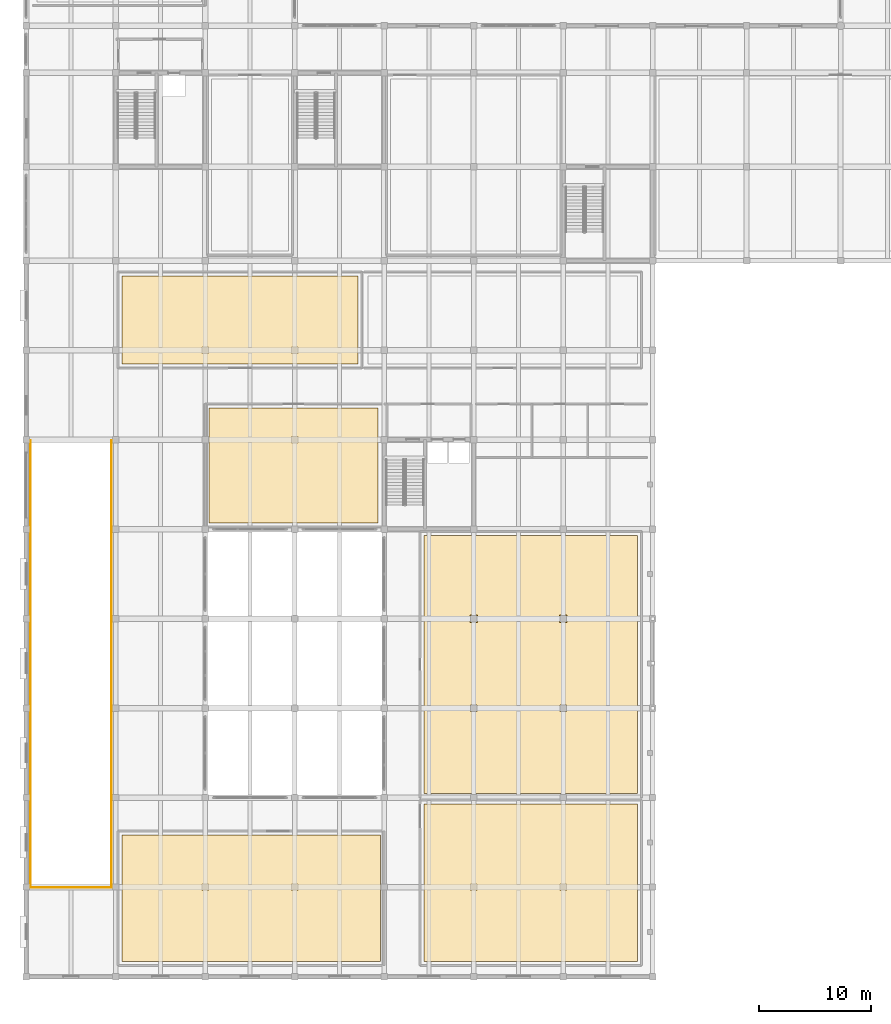
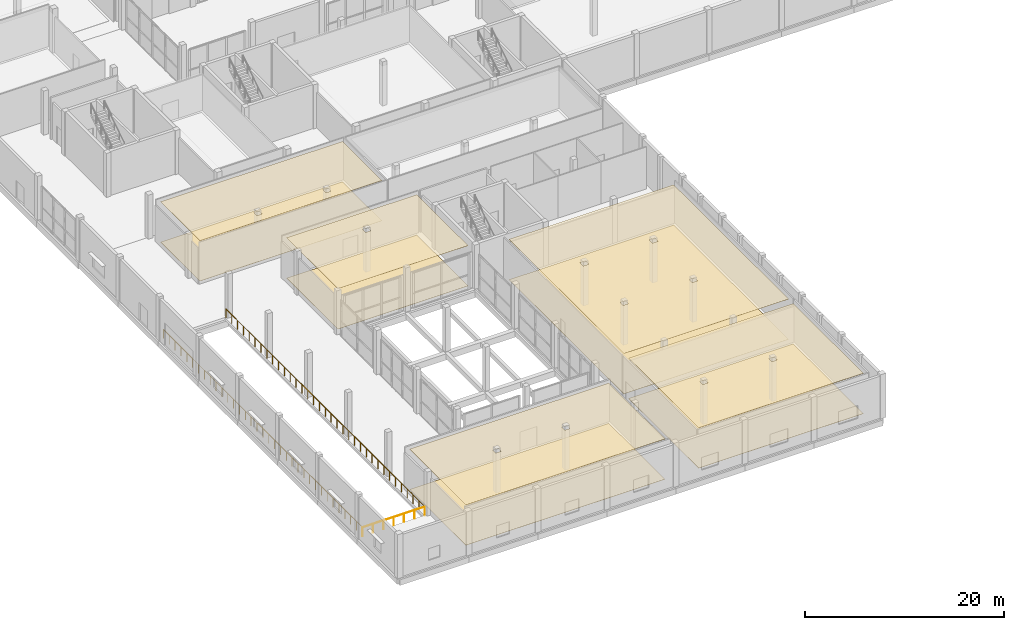
# One storey, part 34 of 41: 10 coverings, 3 railings.
"""IFC4 building model written with IfcOpenShell, lengths in metres."""

from ifc_helpers import new_model, si_unit, direction, frame, origin, origin_2d, place, context, subcontext, project, spatial, polyline, circle, outline, extrude, material, layer, layer_set, type_object, element, save


model = new_model("IFC4")

# Units and contexts
model_context = context("Model", 3, precision=1e-05, world=origin(), true_north=direction((0.0, 1.0)))
body_context = subcontext(model_context, "Body", "Model", "MODEL_VIEW")
ifc_project = project(units=[si_unit("LENGTHUNIT", "METRE"), si_unit("AREAUNIT", "SQUARE_METRE"), si_unit("VOLUMEUNIT", "CUBIC_METRE"), si_unit("PLANEANGLEUNIT", "RADIAN"), si_unit("MASSUNIT", "GRAM", prefix="KILO")], contexts=[model_context])

# Site, building, storey
site_placement = place(None, origin())
site = spatial("IfcSite", under=ifc_project, at=site_placement, CompositionType="ELEMENT")
building_placement = place(site_placement, origin())
building = spatial("IfcBuilding", under=site, at=building_placement, Name="Vharandega Faculty of Natural Sciences", CompositionType="ELEMENT")
storey_placement = place(building_placement, origin())
storey = spatial("IfcBuildingStorey", under=building, at=storey_placement, Name="L00", CompositionType="ELEMENT", Elevation=0.0)

# Railings
ifc_material_1 = material(Name="Painted steel and laminated glass balustrade", Category="steel")
railing_type = type_object("IfcRailingType", Name="Courtyard Architectural Balustrade 1100", PredefinedType="BALUSTRADE", material=ifc_material_1)
railing_1_placement = place(storey_placement, frame((0.3798828125, 47.925048828125, 0.0)))
element("IfcRailing", 1, at=railing_1_placement, inside=storey, type_object=railing_type, Name="Ramp Opening Balustrade L00 #1", PredefinedType="BALUSTRADE", context=body_context, shape_type="SweptSolid", body=[
    extrude(circle(Radius=0.02392578125, at=origin_2d()), frame((0.0, 0.0, 1.076171875), z_axis=(0.0, -1.0, 0.0), x_axis=(1.0, 0.0, 0.0)), (0.0, 0.0, 1.0), 39.949951171875),
    extrude(circle(Radius=0.02099609375, at=origin_2d()), origin(), (0.0, 0.0, 1.0), 1.052001953125),
    extrude(circle(Radius=0.02099609375, at=origin_2d()), frame((0.0, -1.175048828125, 0.0)), (0.0, 0.0, 1.0), 1.052001953125),
    extrude(circle(Radius=0.02099609375, at=origin_2d()), frame((0.0, -2.35009765625, 0.0)), (0.0, 0.0, 1.0), 1.052001953125),
    extrude(circle(Radius=0.02099609375, at=origin_2d()), frame((0.0, -3.52490234375, 0.0)), (0.0, 0.0, 1.0), 1.052001953125),
    extrude(circle(Radius=0.02099609375, at=origin_2d()), frame((0.0, -4.699951171875, 0.0)), (0.0, 0.0, 1.0), 1.052001953125),
    extrude(circle(Radius=0.02099609375, at=origin_2d()), frame((0.0, -5.875, 0.0)), (0.0, 0.0, 1.0), 1.052001953125),
    extrude(circle(Radius=0.02099609375, at=origin_2d()), frame((0.0, -7.050048828125, 0.0)), (0.0, 0.0, 1.0), 1.052001953125),
    extrude(circle(Radius=0.02099609375, at=origin_2d()), frame((0.0, -8.22509765625, 0.0)), (0.0, 0.0, 1.0), 1.052001953125),
    extrude(circle(Radius=0.02099609375, at=origin_2d()), frame((0.0, -9.39990234375, 0.0)), (0.0, 0.0, 1.0), 1.052001953125),
    extrude(circle(Radius=0.02099609375, at=origin_2d()), frame((0.0, -10.574951171875, 0.0)), (0.0, 0.0, 1.0), 1.052001953125),
    extrude(circle(Radius=0.02099609375, at=origin_2d()), frame((0.0, -11.75, 0.0)), (0.0, 0.0, 1.0), 1.052001953125),
    extrude(circle(Radius=0.02099609375, at=origin_2d()), frame((0.0, -12.925048828125, 0.0)), (0.0, 0.0, 1.0), 1.052001953125),
    extrude(circle(Radius=0.02099609375, at=origin_2d()), frame((0.0, -14.10009765625, 0.0)), (0.0, 0.0, 1.0), 1.052001953125),
    extrude(circle(Radius=0.02099609375, at=origin_2d()), frame((0.0, -15.27490234375, 0.0)), (0.0, 0.0, 1.0), 1.052001953125),
    extrude(circle(Radius=0.02099609375, at=origin_2d()), frame((0.0, -16.449951171875, 0.0)), (0.0, 0.0, 1.0), 1.052001953125),
    extrude(circle(Radius=0.02099609375, at=origin_2d()), frame((0.0, -17.625, 0.0)), (0.0, 0.0, 1.0), 1.052001953125),
    extrude(circle(Radius=0.02099609375, at=origin_2d()), frame((0.0, -18.800048828125, 0.0)), (0.0, 0.0, 1.0), 1.052001953125),
    extrude(circle(Radius=0.02099609375, at=origin_2d()), frame((0.0, -19.97509765625, 0.0)), (0.0, 0.0, 1.0), 1.052001953125),
    extrude(circle(Radius=0.02099609375, at=origin_2d()), frame((0.0, -21.14990234375, 0.0)), (0.0, 0.0, 1.0), 1.052001953125),
    extrude(circle(Radius=0.02099609375, at=origin_2d()), frame((0.0, -22.324951171875, 0.0)), (0.0, 0.0, 1.0), 1.052001953125),
    extrude(circle(Radius=0.02099609375, at=origin_2d()), frame((0.0, -23.5, 0.0)), (0.0, 0.0, 1.0), 1.052001953125),
    extrude(circle(Radius=0.02099609375, at=origin_2d()), frame((0.0, -24.675048828125, 0.0)), (0.0, 0.0, 1.0), 1.052001953125),
    extrude(circle(Radius=0.02099609375, at=origin_2d()), frame((0.0, -25.849853515625, 0.0)), (0.0, 0.0, 1.0), 1.052001953125),
    extrude(circle(Radius=0.02099609375, at=origin_2d()), frame((0.0, -27.02490234375, 0.0)), (0.0, 0.0, 1.0), 1.052001953125),
    extrude(circle(Radius=0.02099609375, at=origin_2d()), frame((0.0, -28.199951171875, 0.0)), (0.0, 0.0, 1.0), 1.052001953125),
    extrude(circle(Radius=0.02099609375, at=origin_2d()), frame((0.0, -29.375, 0.0)), (0.0, 0.0, 1.0), 1.052001953125),
    extrude(circle(Radius=0.02099609375, at=origin_2d()), frame((0.0, -30.550048828125, 0.0)), (0.0, 0.0, 1.0), 1.052001953125),
    extrude(circle(Radius=0.02099609375, at=origin_2d()), frame((0.0, -31.724853515625, 0.0)), (0.0, 0.0, 1.0), 1.052001953125),
    extrude(circle(Radius=0.02099609375, at=origin_2d()), frame((0.0, -32.89990234375, 0.0)), (0.0, 0.0, 1.0), 1.052001953125),
    extrude(circle(Radius=0.02099609375, at=origin_2d()), frame((0.0, -34.074951171875, 0.0)), (0.0, 0.0, 1.0), 1.052001953125),
    extrude(circle(Radius=0.02099609375, at=origin_2d()), frame((0.0, -35.25, 0.0)), (0.0, 0.0, 1.0), 1.052001953125),
    extrude(circle(Radius=0.02099609375, at=origin_2d()), frame((0.0, -36.425048828125, 0.0)), (0.0, 0.0, 1.0), 1.052001953125),
    extrude(circle(Radius=0.02099609375, at=origin_2d()), frame((0.0, -37.599853515625, 0.0)), (0.0, 0.0, 1.0), 1.052001953125),
    extrude(circle(Radius=0.02099609375, at=origin_2d()), frame((0.0, -38.77490234375, 0.0)), (0.0, 0.0, 1.0), 1.052001953125),
    extrude(circle(Radius=0.02099609375, at=origin_2d()), frame((0.0, -39.949951171875, 0.0)), (0.0, 0.0, 1.0), 1.052001953125),
])
railing_2_placement = place(storey_placement, frame((0.405029296875, 7.949951171875, 0.0)))
element("IfcRailing", 2, at=railing_2_placement, inside=storey, type_object=railing_type, Name="Ramp Opening Balustrade L00 #2", PredefinedType="BALUSTRADE", context=body_context, shape_type="SweptSolid", body=[
    extrude(circle(Radius=0.02392578125, at=origin_2d()), frame((0.0, 0.0, 1.076171875), z_axis=(1.0, 0.0, 0.0), x_axis=(0.0, 1.0, 0.0)), (0.0, 0.0, 1.0), 7.18994140625),
    extrude(circle(Radius=0.02099609375, at=origin_2d()), origin(), (0.0, 0.0, 1.0), 1.052001953125),
    extrude(circle(Radius=0.02099609375, at=origin_2d()), frame((1.1982421875, 0.0, 0.0)), (0.0, 0.0, 1.0), 1.052001953125),
    extrude(circle(Radius=0.02099609375, at=origin_2d()), frame((2.396728515625, 0.0, 0.0)), (0.0, 0.0, 1.0), 1.052001953125),
    extrude(circle(Radius=0.02099609375, at=origin_2d()), frame((3.594970703125, 0.0, 0.0)), (0.0, 0.0, 1.0), 1.052001953125),
    extrude(circle(Radius=0.02099609375, at=origin_2d()), frame((4.793212890625, 0.0, 0.0)), (0.0, 0.0, 1.0), 1.052001953125),
    extrude(circle(Radius=0.02099609375, at=origin_2d()), frame((5.99169921875, 0.0, 0.0)), (0.0, 0.0, 1.0), 1.052001953125),
    extrude(circle(Radius=0.02099609375, at=origin_2d()), frame((7.18994140625, 0.0, 0.0)), (0.0, 0.0, 1.0), 1.052001953125),
])
railing_3_placement = place(storey_placement, frame((7.6201171875, 7.97509765625, 0.0)))
element("IfcRailing", 3, at=railing_3_placement, inside=storey, type_object=railing_type, Name="Ramp Opening Balustrade L00 #3", PredefinedType="BALUSTRADE", context=body_context, shape_type="SweptSolid", body=[
    extrude(circle(Radius=0.02392578125, at=origin_2d()), frame((0.0, 0.0, 1.076171875), z_axis=(0.0, 1.0, 0.0), x_axis=(-1.0, 0.0, 0.0)), (0.0, 0.0, 1.0), 39.949951171875),
    extrude(circle(Radius=0.02099609375, at=origin_2d()), origin(), (0.0, 0.0, 1.0), 1.052001953125),
    extrude(circle(Radius=0.02099609375, at=origin_2d()), frame((0.0, 1.175048828125, 0.0)), (0.0, 0.0, 1.0), 1.052001953125),
    extrude(circle(Radius=0.02099609375, at=origin_2d()), frame((0.0, 2.35009765625, 0.0)), (0.0, 0.0, 1.0), 1.052001953125),
    extrude(circle(Radius=0.02099609375, at=origin_2d()), frame((0.0, 3.52490234375, 0.0)), (0.0, 0.0, 1.0), 1.052001953125),
    extrude(circle(Radius=0.02099609375, at=origin_2d()), frame((0.0, 4.699951171875, 0.0)), (0.0, 0.0, 1.0), 1.052001953125),
    extrude(circle(Radius=0.02099609375, at=origin_2d()), frame((0.0, 5.875, 0.0)), (0.0, 0.0, 1.0), 1.052001953125),
    extrude(circle(Radius=0.02099609375, at=origin_2d()), frame((0.0, 7.050048828125, 0.0)), (0.0, 0.0, 1.0), 1.052001953125),
    extrude(circle(Radius=0.02099609375, at=origin_2d()), frame((0.0, 8.22509765625, 0.0)), (0.0, 0.0, 1.0), 1.052001953125),
    extrude(circle(Radius=0.02099609375, at=origin_2d()), frame((0.0, 9.39990234375, 0.0)), (0.0, 0.0, 1.0), 1.052001953125),
    extrude(circle(Radius=0.02099609375, at=origin_2d()), frame((0.0, 10.574951171875, 0.0)), (0.0, 0.0, 1.0), 1.052001953125),
    extrude(circle(Radius=0.02099609375, at=origin_2d()), frame((0.0, 11.75, 0.0)), (0.0, 0.0, 1.0), 1.052001953125),
    extrude(circle(Radius=0.02099609375, at=origin_2d()), frame((0.0, 12.925048828125, 0.0)), (0.0, 0.0, 1.0), 1.052001953125),
    extrude(circle(Radius=0.02099609375, at=origin_2d()), frame((0.0, 14.10009765625, 0.0)), (0.0, 0.0, 1.0), 1.052001953125),
    extrude(circle(Radius=0.02099609375, at=origin_2d()), frame((0.0, 15.27490234375, 0.0)), (0.0, 0.0, 1.0), 1.052001953125),
    extrude(circle(Radius=0.02099609375, at=origin_2d()), frame((0.0, 16.449951171875, 0.0)), (0.0, 0.0, 1.0), 1.052001953125),
    extrude(circle(Radius=0.02099609375, at=origin_2d()), frame((0.0, 17.625, 0.0)), (0.0, 0.0, 1.0), 1.052001953125),
    extrude(circle(Radius=0.02099609375, at=origin_2d()), frame((0.0, 18.800048828125, 0.0)), (0.0, 0.0, 1.0), 1.052001953125),
    extrude(circle(Radius=0.02099609375, at=origin_2d()), frame((0.0, 19.97509765625, 0.0)), (0.0, 0.0, 1.0), 1.052001953125),
    extrude(circle(Radius=0.02099609375, at=origin_2d()), frame((0.0, 21.14990234375, 0.0)), (0.0, 0.0, 1.0), 1.052001953125),
    extrude(circle(Radius=0.02099609375, at=origin_2d()), frame((0.0, 22.324951171875, 0.0)), (0.0, 0.0, 1.0), 1.052001953125),
    extrude(circle(Radius=0.02099609375, at=origin_2d()), frame((0.0, 23.5, 0.0)), (0.0, 0.0, 1.0), 1.052001953125),
    extrude(circle(Radius=0.02099609375, at=origin_2d()), frame((0.0, 24.675048828125, 0.0)), (0.0, 0.0, 1.0), 1.052001953125),
    extrude(circle(Radius=0.02099609375, at=origin_2d()), frame((0.0, 25.849853515625, 0.0)), (0.0, 0.0, 1.0), 1.052001953125),
    extrude(circle(Radius=0.02099609375, at=origin_2d()), frame((0.0, 27.02490234375, 0.0)), (0.0, 0.0, 1.0), 1.052001953125),
    extrude(circle(Radius=0.02099609375, at=origin_2d()), frame((0.0, 28.199951171875, 0.0)), (0.0, 0.0, 1.0), 1.052001953125),
    extrude(circle(Radius=0.02099609375, at=origin_2d()), frame((0.0, 29.375, 0.0)), (0.0, 0.0, 1.0), 1.052001953125),
    extrude(circle(Radius=0.02099609375, at=origin_2d()), frame((0.0, 30.550048828125, 0.0)), (0.0, 0.0, 1.0), 1.052001953125),
    extrude(circle(Radius=0.02099609375, at=origin_2d()), frame((0.0, 31.724853515625, 0.0)), (0.0, 0.0, 1.0), 1.052001953125),
    extrude(circle(Radius=0.02099609375, at=origin_2d()), frame((0.0, 32.89990234375, 0.0)), (0.0, 0.0, 1.0), 1.052001953125),
    extrude(circle(Radius=0.02099609375, at=origin_2d()), frame((0.0, 34.074951171875, 0.0)), (0.0, 0.0, 1.0), 1.052001953125),
    extrude(circle(Radius=0.02099609375, at=origin_2d()), frame((0.0, 35.25, 0.0)), (0.0, 0.0, 1.0), 1.052001953125),
    extrude(circle(Radius=0.02099609375, at=origin_2d()), frame((0.0, 36.425048828125, 0.0)), (0.0, 0.0, 1.0), 1.052001953125),
    extrude(circle(Radius=0.02099609375, at=origin_2d()), frame((0.0, 37.599853515625, 0.0)), (0.0, 0.0, 1.0), 1.052001953125),
    extrude(circle(Radius=0.02099609375, at=origin_2d()), frame((0.0, 38.77490234375, 0.0)), (0.0, 0.0, 1.0), 1.052001953125),
    extrude(circle(Radius=0.02099609375, at=origin_2d()), frame((0.0, 39.949951171875, 0.0)), (0.0, 0.0, 1.0), 1.052001953125),
])

# Coverings
ifc_material_2 = material(Name="Perforated acoustic timber ceiling panels", Category="wood")
ifc_layer_1 = layer(ifc_material_2, 0.030029296875, Name="Perforated acoustic timber ceiling panels")
ifc_layer_set_1 = layer_set([ifc_layer_1], Name="Perforated acoustic timber ceiling panels")
covering_type_1 = type_object("IfcCoveringType", Name="Perforated Acoustic Timber Ceiling 30mm", PredefinedType="CEILING", material=ifc_layer_set_1)
covering_1_placement = place(storey_placement, frame((0.0, 0.0, 4.93994140625)))
element("IfcCovering", 4, at=covering_1_placement, inside=storey, type_object=covering_type_1, Name="L00-GEO1 Acoustic Ceiling", PredefinedType="CEILING", context=body_context, shape_type="SweptSolid", body=[
    extrude(outline(polyline([(8.550048828125, 1.35009765625), (31.64990234375, 1.35009765625), (31.64990234375, 12.64990234375), (8.550048828125, 12.64990234375), (8.550048828125, 1.35009765625)]), holes=[polyline([(15.705078125, 7.705078125), (16.294921875, 7.705078125), (16.294921875, 8.294921875), (15.705078125, 8.294921875), (15.705078125, 7.705078125)]), polyline([(23.705078125, 7.705078125), (24.294921875, 7.705078125), (24.294921875, 8.294921875), (23.705078125, 8.294921875), (23.705078125, 7.705078125)])]), origin(), (0.0, 0.0, 1.0), 0.030029296875),
])
covering_2_placement = place(storey_placement, frame((0.0, 0.0, 4.93994140625)))
element("IfcCovering", 5, at=covering_2_placement, inside=storey, type_object=covering_type_1, Name="L00-GEO2 Acoustic Ceiling", PredefinedType="CEILING", context=body_context, shape_type="SweptSolid", body=[
    extrude(outline(polyline([(35.550048828125, 1.35009765625), (54.64990234375, 1.35009765625), (54.64990234375, 15.449951171875), (35.550048828125, 15.449951171875), (35.550048828125, 1.35009765625)]), holes=[polyline([(39.705078125, 7.705078125), (40.294921875, 7.705078125), (40.294921875, 8.294921875), (39.705078125, 8.294921875), (39.705078125, 7.705078125)]), polyline([(47.705078125, 7.705078125), (48.294921875, 7.705078125), (48.294921875, 8.294921875), (47.705078125, 8.294921875), (47.705078125, 7.705078125)])]), origin(), (0.0, 0.0, 1.0), 0.030029296875),
])
covering_3_placement = place(storey_placement, frame((0.0, 0.0, 4.93994140625)))
element("IfcCovering", 6, at=covering_3_placement, inside=storey, type_object=covering_type_1, Name="L00-HRB1 Acoustic Ceiling", PredefinedType="CEILING", context=body_context, shape_type="SweptSolid", body=[
    extrude(outline(polyline([(35.550048828125, 16.35009765625), (54.64990234375, 16.35009765625), (54.64990234375, 39.449951171875), (35.550048828125, 39.449951171875), (35.550048828125, 16.35009765625)]), holes=[polyline([(39.705078125, 23.705078125), (40.294921875, 23.705078125), (40.294921875, 24.294921875), (39.705078125, 24.294921875), (39.705078125, 23.705078125)]), polyline([(39.679931640625, 31.679931640625), (40.320068359375, 31.679931640625), (40.320068359375, 32.320068359375), (39.679931640625, 32.320068359375), (39.679931640625, 31.679931640625)]), polyline([(47.705078125, 23.705078125), (48.294921875, 23.705078125), (48.294921875, 24.294921875), (47.705078125, 24.294921875), (47.705078125, 23.705078125)]), polyline([(47.679931640625, 31.679931640625), (48.320068359375, 31.679931640625), (48.320068359375, 32.320068359375), (47.679931640625, 32.320068359375), (47.679931640625, 31.679931640625)])]), origin(), (0.0, 0.0, 1.0), 0.030029296875),
])
covering_4_placement = place(storey_placement, frame((0.0, 0.0, 4.93994140625)))
element("IfcCovering", 7, at=covering_4_placement, inside=storey, type_object=covering_type_1, Name="L00-SEM01 Acoustic Ceiling", PredefinedType="CEILING", context=body_context, shape_type="SweptSolid", body=[
    extrude(outline(polyline([(16.35009765625, 40.550048828125), (31.449951171875, 40.550048828125), (31.449951171875, 50.85009765625), (16.35009765625, 50.85009765625), (16.35009765625, 40.550048828125)]), holes=[polyline([(23.705078125, 47.705078125), (24.294921875, 47.705078125), (24.294921875, 48.294921875), (23.705078125, 48.294921875), (23.705078125, 47.705078125)])]), origin(), (0.0, 0.0, 1.0), 0.030029296875),
])
covering_5_placement = place(storey_placement, frame((0.0, 0.0, 4.93994140625)))
element("IfcCovering", 8, at=covering_5_placement, inside=storey, type_object=covering_type_1, Name="L00-SEM02 Acoustic Ceiling", PredefinedType="CEILING", context=body_context, shape_type="SweptSolid", body=[
    extrude(outline(polyline([(8.550048828125, 54.75), (29.64990234375, 54.75), (29.64990234375, 62.64990234375), (8.550048828125, 62.64990234375), (8.550048828125, 54.75)]), holes=[polyline([(15.705078125, 55.705078125), (16.294921875, 55.705078125), (16.294921875, 56.294921875), (15.705078125, 56.294921875), (15.705078125, 55.705078125)]), polyline([(23.705078125, 55.705078125), (24.294921875, 55.705078125), (24.294921875, 56.294921875), (23.705078125, 56.294921875), (23.705078125, 55.705078125)])]), origin(), (0.0, 0.0, 1.0), 0.030029296875),
])
ifc_material_3 = material(Name="Polished Harare granite terrazzo flooring", Category="masonry")
ifc_layer_2 = layer(ifc_material_3, 0.02490234375, Name="Polished Harare granite terrazzo flooring")
ifc_layer_set_2 = layer_set([ifc_layer_2], Name="Polished Harare granite terrazzo flooring")
covering_type_2 = type_object("IfcCoveringType", Name="Terrazzo Concourse Flooring 25mm", PredefinedType="FLOORING", material=ifc_layer_set_2)
covering_6_placement = place(storey_placement, origin())
element("IfcCovering", 9, at=covering_6_placement, inside=storey, type_object=covering_type_2, Name="L00-GEO1 Finish Flooring", PredefinedType="FLOORING", context=body_context, shape_type="SweptSolid", body=[
    extrude(outline(polyline([(8.550048828125, 1.35009765625), (31.64990234375, 1.35009765625), (31.64990234375, 12.64990234375), (8.550048828125, 12.64990234375), (8.550048828125, 1.35009765625)])), origin(), (0.0, 0.0, 1.0), 0.02490234375),
])
covering_7_placement = place(storey_placement, origin())
element("IfcCovering", 10, at=covering_7_placement, inside=storey, type_object=covering_type_2, Name="L00-GEO2 Finish Flooring", PredefinedType="FLOORING", context=body_context, shape_type="SweptSolid", body=[
    extrude(outline(polyline([(35.550048828125, 1.35009765625), (54.64990234375, 1.35009765625), (54.64990234375, 15.449951171875), (35.550048828125, 15.449951171875), (35.550048828125, 1.35009765625)])), origin(), (0.0, 0.0, 1.0), 0.02490234375),
])
covering_8_placement = place(storey_placement, origin())
element("IfcCovering", 11, at=covering_8_placement, inside=storey, type_object=covering_type_2, Name="L00-HRB1 Finish Flooring", PredefinedType="FLOORING", context=body_context, shape_type="SweptSolid", body=[
    extrude(outline(polyline([(35.550048828125, 16.35009765625), (54.64990234375, 16.35009765625), (54.64990234375, 39.449951171875), (35.550048828125, 39.449951171875), (35.550048828125, 16.35009765625)])), origin(), (0.0, 0.0, 1.0), 0.02490234375),
])
covering_9_placement = place(storey_placement, origin())
element("IfcCovering", 12, at=covering_9_placement, inside=storey, type_object=covering_type_2, Name="L00-SEM01 Finish Flooring", PredefinedType="FLOORING", context=body_context, shape_type="SweptSolid", body=[
    extrude(outline(polyline([(16.35009765625, 40.550048828125), (31.449951171875, 40.550048828125), (31.449951171875, 50.85009765625), (16.35009765625, 50.85009765625), (16.35009765625, 40.550048828125)])), origin(), (0.0, 0.0, 1.0), 0.02490234375),
])
covering_10_placement = place(storey_placement, origin())
element("IfcCovering", 13, at=covering_10_placement, inside=storey, type_object=covering_type_2, Name="L00-SEM02 Finish Flooring", PredefinedType="FLOORING", context=body_context, shape_type="SweptSolid", body=[
    extrude(outline(polyline([(8.550048828125, 54.75), (29.64990234375, 54.75), (29.64990234375, 62.64990234375), (8.550048828125, 62.64990234375), (8.550048828125, 54.75)])), origin(), (0.0, 0.0, 1.0), 0.02490234375),
])

save(model, "model.ifc")
